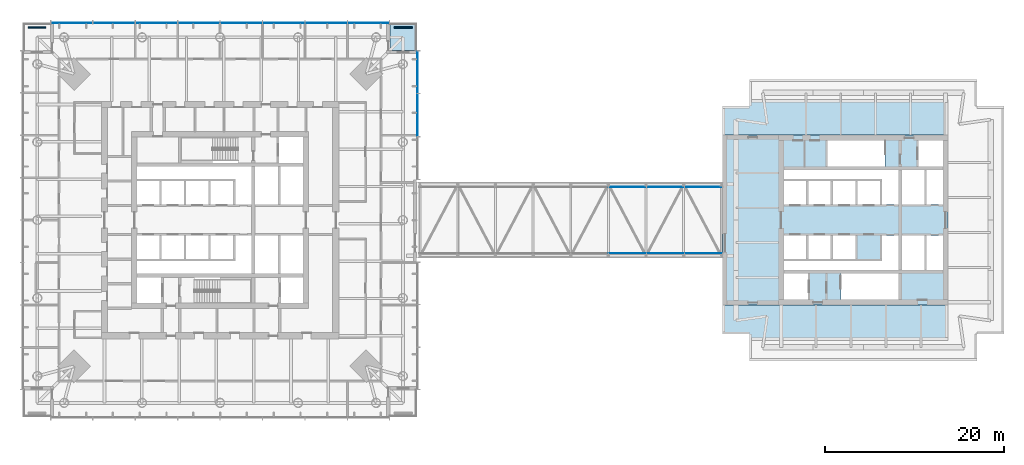
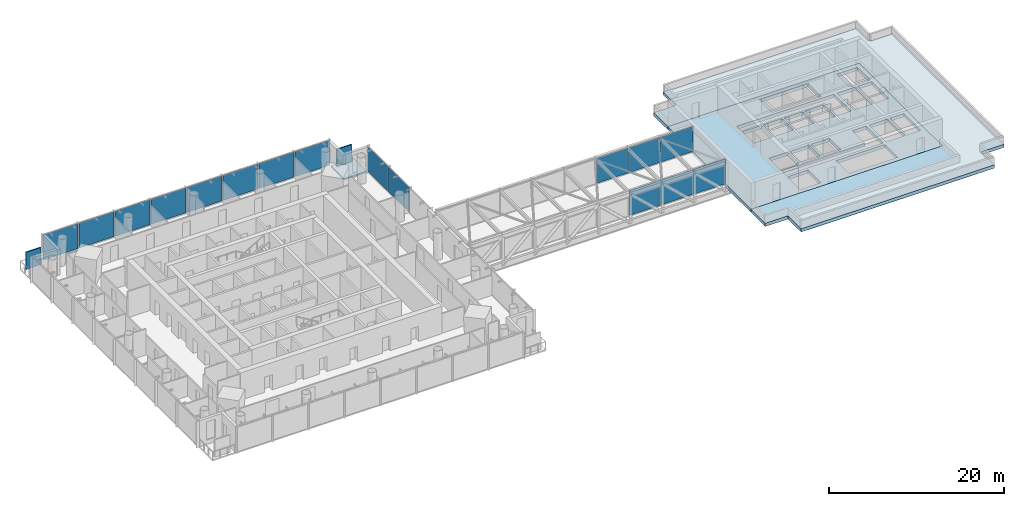
# One storey, part 11 of 19: 18 plates, 3 slabs, 4 elements without a shape of their own.
"""IFC4 building model written with IfcOpenShell, lengths in metres."""

from ifc_helpers import new_model, si_unit, direction, frame, origin, origin_2d, place, context, subcontext, project, spatial, polyline, rectangle, outline, extrude, material, layer, layer_set, type_object, element, aggregate, save


model = new_model("IFC4")

# Units and contexts
model_context = context("Model", 3, precision=1e-05, world=origin(), true_north=direction((0.0, 1.0)))
body_context = subcontext(model_context, "Body", "Model", "MODEL_VIEW")
ifc_project = project(units=[si_unit("LENGTHUNIT", "METRE"), si_unit("AREAUNIT", "SQUARE_METRE"), si_unit("VOLUMEUNIT", "CUBIC_METRE"), si_unit("PLANEANGLEUNIT", "RADIAN"), si_unit("MASSUNIT", "GRAM", prefix="KILO")], contexts=[model_context])

# Site, building, storey
site_placement = place(None, origin())
site = spatial("IfcSite", under=ifc_project, at=site_placement, CompositionType="ELEMENT")
building_placement = place(site_placement, origin())
building = spatial("IfcBuilding", under=site, at=building_placement, Name="Ostroluk Exchange", CompositionType="ELEMENT")
storey_placement = place(building_placement, frame((0.0, 0.0, 131.199951171875)))
storey = spatial("IfcBuildingStorey", under=building, at=storey_placement, Name="L33", CompositionType="ELEMENT", Elevation=131.199951171875)

# Slabs
ifc_material_1 = material(Name="Concrete C35/45", Category="concrete")
ifc_layer_1 = layer(ifc_material_1, 0.179931640625)
ifc_layer_set_1 = layer_set([ifc_layer_1], Name="Balcony slab 180")
slab_type_1 = type_object("IfcSlabType", Name="Balcony slab 180", PredefinedType="USERDEFINED", material=ifc_layer_set_1)
slab_1_placement = place(storey_placement, frame((0.0, 0.0, -0.179931640625)))
element("IfcSlab", 1, at=slab_1_placement, inside=storey, type_object=slab_type_1, Name="Office tower NE corner balcony L33", ObjectType="BALCONY", PredefinedType="USERDEFINED", context=body_context, shape_type="SweptSolid", body=[
    extrude(outline(polyline([(64.0, 65.0), (67.0, 65.0), (67.0, 68.0), (64.0, 68.0), (64.0, 65.0)])), origin(), (0.0, 0.0, 1.0), 0.179931640625),
])
ifc_material_2 = material(Name="Concrete C35/45", Category="concrete")
ifc_layer_2 = layer(ifc_material_2, 0.449951171875)
ifc_layer_set_2 = layer_set([ifc_layer_2], Name="Head-house floor slab 450")
slab_type_2 = type_object("IfcSlabType", Name="Head-house floor slab 450", PredefinedType="FLOOR", material=ifc_layer_set_2)
slab_2_placement = place(storey_placement, frame((0.0, 0.0, -0.449951171875)))
element("IfcSlab", 2, at=slab_2_placement, inside=storey, type_object=slab_type_2, Name="Hotel tower head-house and pavilion floor slab L33", PredefinedType="FLOOR", context=body_context, shape_type="SweptSolid", body=[
    extrude(outline(polyline([(126.5, 36.5), (126.5, 55.5), (101.25, 55.5), (101.25, 36.5), (126.5, 36.5)]), holes=[polyline([(108.10009765625, 37.10009765625), (110.800048828125, 37.10009765625), (110.800048828125, 40.0), (108.10009765625, 40.0), (108.10009765625, 37.10009765625)]), polyline([(114.510009765625, 37.10009765625), (120.929931640625, 37.10009765625), (120.929931640625, 40.0), (114.510009765625, 40.0), (114.510009765625, 37.10009765625)]), polyline([(113.0, 52.0), (119.419921875, 52.0), (119.419921875, 54.89990234375), (113.0, 54.89990234375), (113.0, 52.0)]), polyline([(123.199951171875, 52.0), (125.89990234375, 52.0), (125.89990234375, 54.89990234375), (123.199951171875, 54.89990234375), (123.199951171875, 52.0)]), polyline([(108.10009765625, 47.75), (110.60009765625, 47.75), (110.60009765625, 50.35009765625), (108.10009765625, 50.35009765625), (108.10009765625, 47.75)]), polyline([(110.85009765625, 47.75), (113.35009765625, 47.75), (113.35009765625, 50.35009765625), (110.85009765625, 50.35009765625), (110.85009765625, 47.75)]), polyline([(113.60009765625, 47.75), (116.10009765625, 47.75), (116.10009765625, 50.35009765625), (113.60009765625, 50.35009765625), (113.60009765625, 47.75)]), polyline([(116.35009765625, 47.75), (118.85009765625, 47.75), (118.85009765625, 50.35009765625), (116.35009765625, 50.35009765625), (116.35009765625, 47.75)]), polyline([(108.10009765625, 41.64990234375), (110.60009765625, 41.64990234375), (110.60009765625, 44.25), (108.10009765625, 44.25), (108.10009765625, 41.64990234375)]), polyline([(110.85009765625, 41.64990234375), (113.35009765625, 41.64990234375), (113.35009765625, 44.25), (110.85009765625, 44.25), (110.85009765625, 41.64990234375)]), polyline([(113.60009765625, 41.64990234375), (116.10009765625, 41.64990234375), (116.10009765625, 44.25), (113.60009765625, 44.25), (113.60009765625, 41.64990234375)]), polyline([(121.330078125, 47.75), (123.830078125, 47.75), (123.830078125, 51.60009765625), (121.330078125, 51.60009765625), (121.330078125, 47.75)]), polyline([(121.330078125, 40.39990234375), (123.830078125, 40.39990234375), (123.830078125, 44.25), (121.330078125, 44.25), (121.330078125, 40.39990234375)]), polyline([(120.929931640625, 51.60009765625), (120.929931640625, 47.75), (119.10009765625, 47.75), (119.10009765625, 50.60009765625), (108.10009765625, 50.60009765625), (108.10009765625, 51.60009765625), (120.929931640625, 51.60009765625)]), polyline([(108.10009765625, 40.39990234375), (108.10009765625, 41.39990234375), (119.10009765625, 41.39990234375), (119.10009765625, 44.25), (120.929931640625, 44.25), (120.929931640625, 40.39990234375), (108.10009765625, 40.39990234375)]), polyline([(124.080078125, 47.75), (125.89990234375, 47.75), (125.89990234375, 51.60009765625), (124.080078125, 51.60009765625), (124.080078125, 47.75)]), polyline([(124.080078125, 40.39990234375), (125.89990234375, 40.39990234375), (125.89990234375, 44.25), (124.080078125, 44.25), (124.080078125, 40.39990234375)])]), origin(), (0.0, 0.0, 1.0), 0.449951171875),
])

# Curtain wall, plates
ifc_material_3 = material(Name="Laminated clear glass", Category="glass")
curtain_wall_type_1 = type_object("IfcCurtainWallType", Name="Bridge glazing", PredefinedType="USERDEFINED", material=ifc_material_3)
curtain_wall_1_placement = place(storey_placement, origin())
curtain_wall_1 = element("IfcCurtainWall", 3, at=curtain_wall_1_placement, inside=storey, type_object=curtain_wall_type_1, Name="Sky garden bridge south glazing", ObjectType="STICK CURTAIN WALL", PredefinedType="USERDEFINED")
ifc_material_4 = material(Name="Laminated clear glass", Category="glass")
ifc_layer_3 = layer(ifc_material_4, 0.028076171875)
ifc_layer_set_3 = layer_set([ifc_layer_3], Name="Laminated clear glass 28")
plate_type_1 = type_object("IfcPlateType", Name="Laminated clear glass 28", PredefinedType="CURTAIN_PANEL", material=ifc_layer_set_3)
plate_1_placement = place(storey_placement, frame((90.625, 42.2900390625, 0.06005859375), z_axis=(0.0, 0.0, 1.0), x_axis=(1.0, 0.0, 0.0)))
plate_1 = element("IfcPlate", 4, at=plate_1_placement, type_object=plate_type_1, Name="CW-BR1 panel 6.1", PredefinedType="CURTAIN_PANEL", context=body_context, shape_type="SweptSolid", body=[
    extrude(rectangle(XDim=4.18994140625, YDim=0.028076171875, at=origin_2d()), origin(), (0.0, 0.0, 1.0), 3.47998046875),
])
plate_2_placement = place(storey_placement, frame((94.875, 42.2900390625, 0.06005859375), z_axis=(0.0, 0.0, 1.0), x_axis=(1.0, 0.0, 0.0)))
plate_2 = element("IfcPlate", 5, at=plate_2_placement, type_object=plate_type_1, Name="CW-BR1 panel 7.1", PredefinedType="CURTAIN_PANEL", context=body_context, shape_type="SweptSolid", body=[
    extrude(rectangle(XDim=4.18994140625, YDim=0.028076171875, at=origin_2d()), origin(), (0.0, 0.0, 1.0), 3.47998046875),
])
plate_3_placement = place(storey_placement, frame((99.110107421875, 42.2900390625, 0.06005859375), z_axis=(0.0, 0.0, 1.0), x_axis=(1.0, 0.0, 0.0)))
plate_3 = element("IfcPlate", 6, at=plate_3_placement, type_object=plate_type_1, Name="CW-BR1 panel 8.1", PredefinedType="CURTAIN_PANEL", context=body_context, shape_type="SweptSolid", body=[
    extrude(rectangle(XDim=4.159912109375, YDim=0.028076171875, at=origin_2d()), origin(), (0.0, 0.0, 1.0), 3.47998046875),
])
aggregate(curtain_wall_1, [plate_1, plate_2, plate_3])

curtain_wall_2_placement = place(storey_placement, origin())
curtain_wall_2 = element("IfcCurtainWall", 7, at=curtain_wall_2_placement, inside=storey, type_object=curtain_wall_type_1, Name="Sky garden bridge north glazing", ObjectType="STICK CURTAIN WALL", PredefinedType="USERDEFINED")
plate_4_placement = place(storey_placement, frame((99.110107421875, 49.7099609375, 0.06005859375), z_axis=(0.0, 0.0, 1.0), x_axis=(-1.0, 0.0, 0.0)))
plate_4 = element("IfcPlate", 8, at=plate_4_placement, type_object=plate_type_1, Name="CW-BR1 panel 1.1", PredefinedType="CURTAIN_PANEL", context=body_context, shape_type="SweptSolid", body=[
    extrude(rectangle(XDim=4.159912109375, YDim=0.028076171875, at=origin_2d()), origin(), (0.0, 0.0, 1.0), 3.47998046875),
])
plate_5_placement = place(storey_placement, frame((94.875, 49.7099609375, 0.06005859375), z_axis=(0.0, 0.0, 1.0), x_axis=(-1.0, 0.0, 0.0)))
plate_5 = element("IfcPlate", 9, at=plate_5_placement, type_object=plate_type_1, Name="CW-BR1 panel 2.1", PredefinedType="CURTAIN_PANEL", context=body_context, shape_type="SweptSolid", body=[
    extrude(rectangle(XDim=4.18994140625, YDim=0.028076171875, at=origin_2d()), origin(), (0.0, 0.0, 1.0), 3.47998046875),
])
plate_6_placement = place(storey_placement, frame((90.625, 49.7099609375, 0.06005859375), z_axis=(0.0, 0.0, 1.0), x_axis=(-1.0, 0.0, 0.0)))
plate_6 = element("IfcPlate", 10, at=plate_6_placement, type_object=plate_type_1, Name="CW-BR1 panel 3.1", PredefinedType="CURTAIN_PANEL", context=body_context, shape_type="SweptSolid", body=[
    extrude(rectangle(XDim=4.18994140625, YDim=0.028076171875, at=origin_2d()), origin(), (0.0, 0.0, 1.0), 3.47998046875),
])
aggregate(curtain_wall_2, [plate_4, plate_5, plate_6])

# Plates
ifc_material_5 = material(Name="Steel S355 trellis with planting", Category="steel")
ifc_layer_4 = layer(ifc_material_5, 0.14990234375)
ifc_layer_set_4 = layer_set([ifc_layer_4], Name="Planted screen 150")
plate_type_2 = type_object("IfcPlateType", Name="Planted screen 150", PredefinedType="USERDEFINED", material=ifc_layer_set_4)
for number, where, z_axis, x_axis, name in (
    (11, (65.5, 67.574951171875, 0.0), (0.0, 0.0, 1.0), (1.0, 0.0, 0.0), "Office tower NE planted screen L33"),
    (12, (24.5, 67.574951171875, 0.0), (0.0, 0.0, 1.0), (1.0, 0.0, 0.0), "Office tower NW planted screen L33"),
):
    element("IfcPlate", number, at=place(storey_placement, frame(where, z_axis=z_axis, x_axis=x_axis)), inside=storey, type_object=plate_type_2, Name=name, ObjectType="PLANTED SCREEN", PredefinedType="USERDEFINED", context=body_context, shape_type="SweptSolid", body=[
        extrude(rectangle(XDim=2.0, YDim=0.14990234375, at=origin_2d()), origin(), (0.0, 0.0, 1.0), 2.39990234375),
    ])

# Slab
ifc_material_6 = material(Name="Concrete C35/45", Category="concrete")
ifc_layer_5 = layer(ifc_material_6, 0.449951171875)
ifc_layer_set_5 = layer_set([ifc_layer_5], Name="Roof garden slab 450")
slab_type_3 = type_object("IfcSlabType", Name="Roof garden slab 450", PredefinedType="ROOF", material=ifc_layer_set_5)
slab_3_placement = place(storey_placement, frame((0.0, 0.0, -0.449951171875)))
element("IfcSlab", 13, at=slab_3_placement, inside=storey, type_object=slab_type_3, Name="Hotel tower roof garden slab L33", PredefinedType="ROOF", context=body_context, shape_type="SweptSolid", body=[
    extrude(outline(polyline([(101.25, 58.75), (104.25, 58.75), (104.25, 61.75), (129.75, 61.75), (129.75, 58.75), (132.75, 58.75), (132.75, 33.25), (129.75, 33.25), (129.75, 30.25), (104.25, 30.25), (104.25, 33.25), (101.25, 33.25), (101.25, 36.5), (126.5, 36.5), (126.5, 55.5), (101.25, 55.5), (101.25, 58.75)])), origin(), (0.0, 0.0, 1.0), 0.449951171875),
])

# Curtain wall, plates
ifc_material_7 = material(Name="Laminated clear glass", Category="glass")
curtain_wall_type_2 = type_object("IfcCurtainWallType", Name="Office tower facade", PredefinedType="USERDEFINED", material=ifc_material_7)
curtain_wall_3_placement = place(storey_placement, origin())
curtain_wall_3 = element("IfcCurtainWall", 14, at=curtain_wall_3_placement, inside=storey, type_object=curtain_wall_type_2, Name="Office tower east facade L33 part 2", ObjectType="UNITISED CURTAIN WALL", PredefinedType="USERDEFINED")
ifc_material_8 = material(Name="Laminated clear glass", Category="glass")
ifc_layer_6 = layer(ifc_material_8, 0.0439453125)
ifc_layer_set_6 = layer_set([ifc_layer_6], Name="Triple laminated clear glazing 44")
plate_type_3 = type_object("IfcPlateType", Name="Triple laminated clear glazing 44", PredefinedType="CURTAIN_PANEL", material=ifc_layer_set_6)
plate_7_placement = place(storey_placement, frame((67.074951171875, 57.75, 0.080078125), z_axis=(0.0, 0.0, 1.0), x_axis=(0.0, 1.0, 0.0)))
plate_7 = element("IfcPlate", 15, at=plate_7_placement, type_object=plate_type_3, Name="CW-O1 panel 2.1", PredefinedType="CURTAIN_PANEL", context=body_context, shape_type="SweptSolid", body=[
    extrude(rectangle(XDim=4.75341796875, YDim=0.0439453125, at=origin_2d()), origin(), (0.0, 0.0, 1.0), 3.489990234375),
])
plate_8_placement = place(storey_placement, frame((67.074951171875, 62.563232421875, 0.080078125), z_axis=(0.0, 0.0, 1.0), x_axis=(0.0, 1.0, 0.0)))
plate_8 = element("IfcPlate", 16, at=plate_8_placement, type_object=plate_type_3, Name="CW-O1 panel 3.1", PredefinedType="CURTAIN_PANEL", context=body_context, shape_type="SweptSolid", body=[
    extrude(rectangle(XDim=4.71337890625, YDim=0.0439453125, at=origin_2d()), origin(), (0.0, 0.0, 1.0), 3.489990234375),
])
aggregate(curtain_wall_3, [plate_7, plate_8])

curtain_wall_4_placement = place(storey_placement, origin())
curtain_wall_4 = element("IfcCurtainWall", 17, at=curtain_wall_4_placement, inside=storey, type_object=curtain_wall_type_2, Name="Office tower north facade L33", ObjectType="UNITISED CURTAIN WALL", PredefinedType="USERDEFINED")
plate_9_placement = place(storey_placement, frame((61.60498046875, 68.074951171875, 0.080078125), z_axis=(0.0, 0.0, 1.0), x_axis=(-1.0, 0.0, 0.0)))
plate_9 = element("IfcPlate", 18, at=plate_9_placement, type_object=plate_type_3, Name="CW-O1 panel 1.1", PredefinedType="CURTAIN_PANEL", context=body_context, shape_type="SweptSolid", body=[
    extrude(rectangle(XDim=4.6298828125, YDim=0.0439453125, at=origin_2d()), origin(), (0.0, 0.0, 1.0), 3.489990234375),
])
plate_10_placement = place(storey_placement, frame((56.875, 68.074951171875, 0.080078125), z_axis=(0.0, 0.0, 1.0), x_axis=(-1.0, 0.0, 0.0)))
plate_10 = element("IfcPlate", 19, at=plate_10_placement, type_object=plate_type_3, Name="CW-O1 panel 2.1", PredefinedType="CURTAIN_PANEL", context=body_context, shape_type="SweptSolid", body=[
    extrude(rectangle(XDim=4.669921875, YDim=0.0439453125, at=origin_2d()), origin(), (0.0, 0.0, 1.0), 3.489990234375),
])
plate_11_placement = place(storey_placement, frame((52.125, 68.074951171875, 0.080078125), z_axis=(0.0, 0.0, 1.0), x_axis=(-1.0, 0.0, 0.0)))
plate_11 = element("IfcPlate", 20, at=plate_11_placement, type_object=plate_type_3, Name="CW-O1 panel 3.1", PredefinedType="CURTAIN_PANEL", context=body_context, shape_type="SweptSolid", body=[
    extrude(rectangle(XDim=4.669921875, YDim=0.0439453125, at=origin_2d()), origin(), (0.0, 0.0, 1.0), 3.489990234375),
])
plate_12_placement = place(storey_placement, frame((47.375, 68.074951171875, 0.080078125), z_axis=(0.0, 0.0, 1.0), x_axis=(-1.0, 0.0, 0.0)))
plate_12 = element("IfcPlate", 21, at=plate_12_placement, type_object=plate_type_3, Name="CW-O1 panel 4.1", PredefinedType="CURTAIN_PANEL", context=body_context, shape_type="SweptSolid", body=[
    extrude(rectangle(XDim=4.669921875, YDim=0.0439453125, at=origin_2d()), origin(), (0.0, 0.0, 1.0), 3.489990234375),
])
plate_13_placement = place(storey_placement, frame((42.625, 68.074951171875, 0.080078125), z_axis=(0.0, 0.0, 1.0), x_axis=(-1.0, 0.0, 0.0)))
plate_13 = element("IfcPlate", 22, at=plate_13_placement, type_object=plate_type_3, Name="CW-O1 panel 5.1", PredefinedType="CURTAIN_PANEL", context=body_context, shape_type="SweptSolid", body=[
    extrude(rectangle(XDim=4.669921875, YDim=0.0439453125, at=origin_2d()), origin(), (0.0, 0.0, 1.0), 3.489990234375),
])
plate_14_placement = place(storey_placement, frame((37.875, 68.074951171875, 0.080078125), z_axis=(0.0, 0.0, 1.0), x_axis=(-1.0, 0.0, 0.0)))
plate_14 = element("IfcPlate", 23, at=plate_14_placement, type_object=plate_type_3, Name="CW-O1 panel 6.1", PredefinedType="CURTAIN_PANEL", context=body_context, shape_type="SweptSolid", body=[
    extrude(rectangle(XDim=4.669921875, YDim=0.0439453125, at=origin_2d()), origin(), (0.0, 0.0, 1.0), 3.489990234375),
])
plate_15_placement = place(storey_placement, frame((33.125, 68.074951171875, 0.080078125), z_axis=(0.0, 0.0, 1.0), x_axis=(-1.0, 0.0, 0.0)))
plate_15 = element("IfcPlate", 24, at=plate_15_placement, type_object=plate_type_3, Name="CW-O1 panel 7.1", PredefinedType="CURTAIN_PANEL", context=body_context, shape_type="SweptSolid", body=[
    extrude(rectangle(XDim=4.669921875, YDim=0.0439453125, at=origin_2d()), origin(), (0.0, 0.0, 1.0), 3.489990234375),
])
plate_16_placement = place(storey_placement, frame((28.39501953125, 68.074951171875, 0.080078125), z_axis=(0.0, 0.0, 1.0), x_axis=(-1.0, 0.0, 0.0)))
plate_16 = element("IfcPlate", 25, at=plate_16_placement, type_object=plate_type_3, Name="CW-O1 panel 8.1", PredefinedType="CURTAIN_PANEL", context=body_context, shape_type="SweptSolid", body=[
    extrude(rectangle(XDim=4.6298828125, YDim=0.0439453125, at=origin_2d()), origin(), (0.0, 0.0, 1.0), 3.489990234375),
])
aggregate(curtain_wall_4, [plate_9, plate_10, plate_11, plate_12, plate_13, plate_14, plate_15, plate_16])

save(model, "model.ifc")
